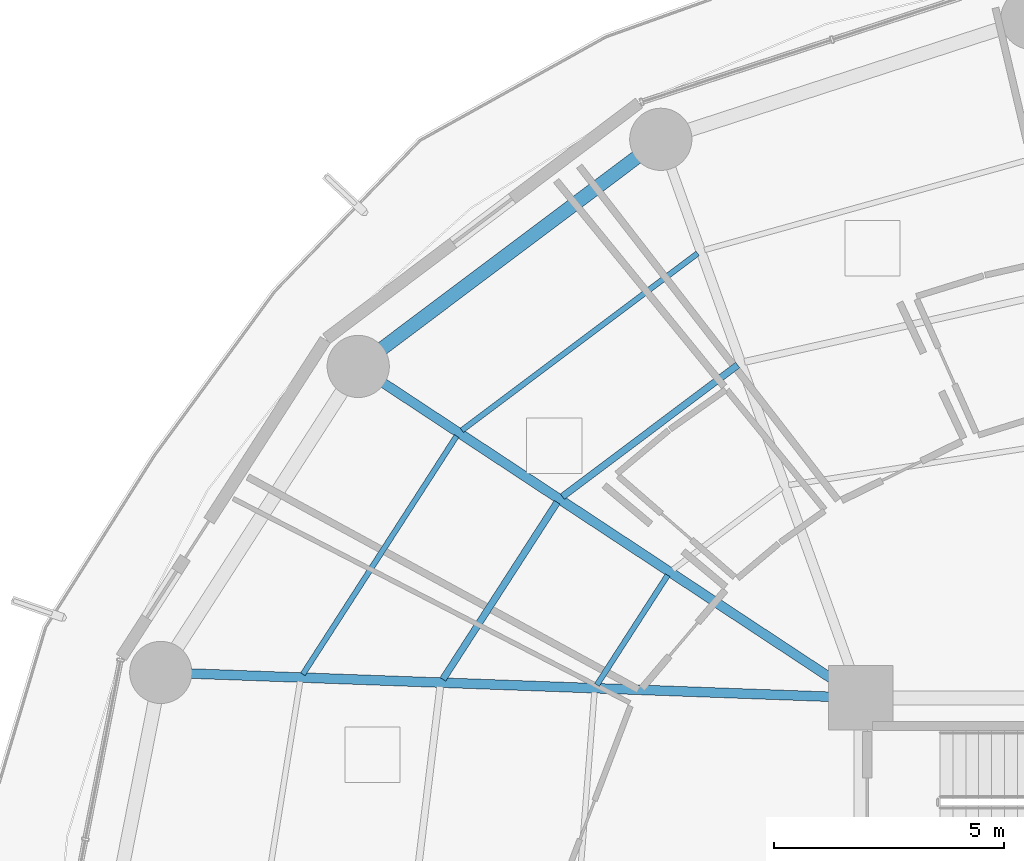
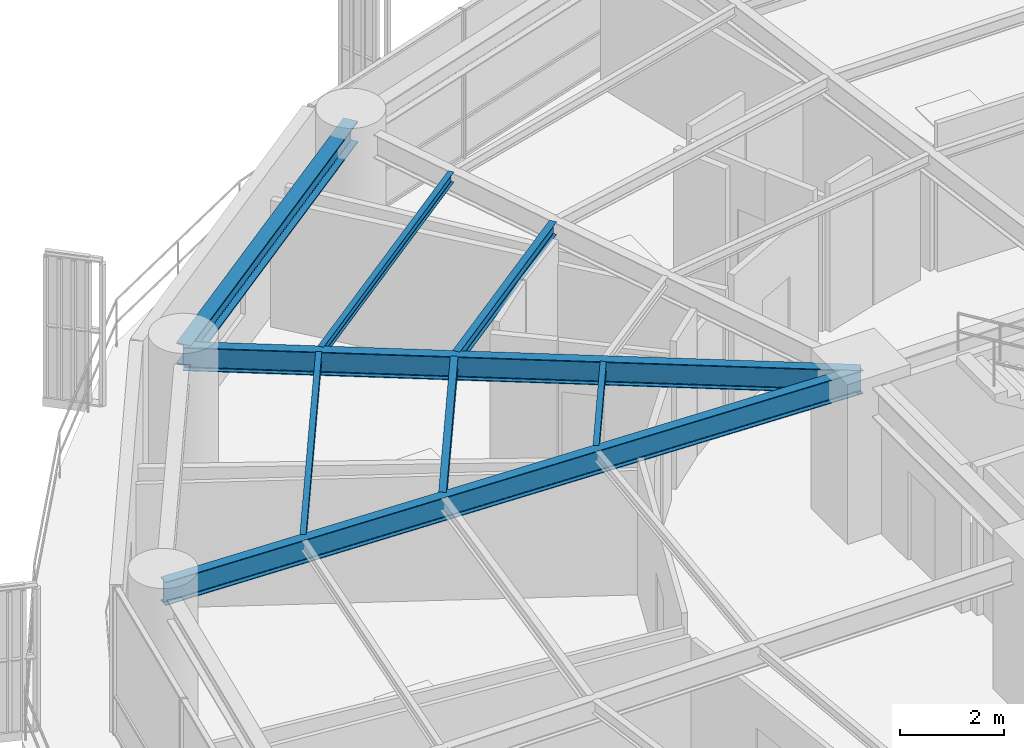
# One storey, part 18 of 36: 8 beams.
"""IFC4 building model written with IfcOpenShell, lengths in metres."""

from ifc_helpers import new_model, si_unit, direction, frame, origin, origin_2d, place, context, subcontext, project, spatial, i_section, extrude, material, material_profile, profile_set, type_object, element, save


model = new_model("IFC4")

# Units and contexts
model_context = context("Model", 3, precision=1e-05, world=origin(), true_north=direction((0.0, 1.0)))
body_context = subcontext(model_context, "Body", "Model", "MODEL_VIEW")
ifc_project = project(units=[si_unit("LENGTHUNIT", "METRE"), si_unit("AREAUNIT", "SQUARE_METRE"), si_unit("VOLUMEUNIT", "CUBIC_METRE"), si_unit("PLANEANGLEUNIT", "RADIAN"), si_unit("MASSUNIT", "GRAM", prefix="KILO")], contexts=[model_context])

# Site, building, storey
site_placement = place(None, origin())
site = spatial("IfcSite", under=ifc_project, at=site_placement, CompositionType="ELEMENT")
building_placement = place(site_placement, origin())
building = spatial("IfcBuilding", under=site, at=building_placement, Name="Kelanora Arch Commons", CompositionType="ELEMENT")
storey_placement = place(building_placement, frame((0.0, 0.0, 98.85009765625)))
storey = spatial("IfcBuildingStorey", under=building, at=storey_placement, Name="L25", CompositionType="ELEMENT", Elevation=98.85009765625)

# Beams
ifc_material = material(Name="Steel S355", Category="steel")
ifc_material_profile_1 = material_profile(ifc_material, i_section(OverallWidth=0.14990234375, OverallDepth=0.300048828125, WebThickness=0.007080078125, FlangeThickness=0.0107421875, FilletRadius=0.014892578125, at=origin_2d()), Name="IPE300")
ifc_profile_set_1 = profile_set([ifc_material_profile_1], Name="Steel S355")
beam_type_1 = type_object("IfcBeamType", Name="BM-JST-01", PredefinedType="JOIST", material=ifc_profile_set_1)
beam_1_placement = place(storey_placement, frame((63.327880859375, 72.22216796875, 3.33984375), z_axis=(-0.79971039107, -0.600385951214, 0.0), x_axis=(0.600385951214, -0.79971039107, 0.0)))
element("IfcBeam", 1, at=beam_1_placement, inside=storey, type_object=beam_type_1, Name="Secondary Chord Joist BJB-12 L25", PredefinedType="JOIST", context=body_context, shape_type="SweptSolid", body=[
    extrude(i_section(OverallWidth=0.14990234375, OverallDepth=0.300048828125, WebThickness=0.007080078125, FlangeThickness=0.0107421875, FilletRadius=0.014892578125, at=origin_2d()), origin(), (0.0, 0.0, 1.0), 4.756103515625),
])
beam_2_placement = place(storey_placement, frame((59.410400390625, 69.244384765625, 3.33984375), z_axis=(-0.542230243286, -0.840229946661, 0.0), x_axis=(0.840229946661, -0.542230243286, 0.0)))
element("IfcBeam", 2, at=beam_2_placement, inside=storey, type_object=beam_type_1, Name="Secondary Chord Joist BJB-14 L25", PredefinedType="JOIST", context=body_context, shape_type="SweptSolid", body=[
    extrude(i_section(OverallWidth=0.14990234375, OverallDepth=0.300048828125, WebThickness=0.007080078125, FlangeThickness=0.0107421875, FilletRadius=0.014892578125, at=origin_2d()), origin(), (0.0, 0.0, 1.0), 4.572265625),
])
ifc_material_profile_2 = material_profile(ifc_material, i_section(OverallWidth=0.1201171875, OverallDepth=0.239990234375, WebThickness=0.006103515625, FlangeThickness=0.009765625, FilletRadius=0.014892578125, at=origin_2d()), Name="IPE240")
ifc_profile_set_2 = profile_set([ifc_material_profile_2], Name="Steel S355")
beam_type_2 = type_object("IfcBeamType", Name="BM-JST-02", PredefinedType="JOIST", material=ifc_profile_set_2)
beam_3_placement = place(storey_placement, frame((62.4599609375, 74.646484375, 3.369873046875), z_axis=(-0.799734335646, -0.600354055861, 0.0), x_axis=(0.600354055861, -0.799734335646, 0.0)))
element("IfcBeam", 3, at=beam_3_placement, inside=storey, type_object=beam_type_2, Name="Secondary Chord Joist BJC-12 L25", PredefinedType="JOIST", context=body_context, shape_type="SweptSolid", body=[
    extrude(i_section(OverallWidth=0.1201171875, OverallDepth=0.239990234375, WebThickness=0.006103515625, FlangeThickness=0.009765625, FilletRadius=0.014892578125, at=origin_2d()), origin(), (0.0, 0.0, 1.0), 6.39794921875),
])
beam_4_placement = place(storey_placement, frame((61.8095703125, 67.661865234375, 3.369873046875), z_axis=(-0.542211255502, -0.840242199849, 0.0), x_axis=(0.840242199849, -0.542211255502, 0.0)))
element("IfcBeam", 4, at=beam_4_placement, inside=storey, type_object=beam_type_2, Name="Secondary Chord Joist BJA-14 L25", PredefinedType="JOIST", context=body_context, shape_type="SweptSolid", body=[
    extrude(i_section(OverallWidth=0.1201171875, OverallDepth=0.239990234375, WebThickness=0.006103515625, FlangeThickness=0.009765625, FilletRadius=0.014892578125, at=origin_2d()), origin(), (0.0, 0.0, 1.0), 2.83349609375),
])
beam_5_placement = place(storey_placement, frame((57.22900390625, 70.682861328125, 3.369873046875), z_axis=(-0.542212726273, -0.840241250754, 0.0), x_axis=(0.840241250754, -0.542212726273, 0.0)))
element("IfcBeam", 5, at=beam_5_placement, inside=storey, type_object=beam_type_2, Name="Secondary Chord Joist BJC-14 L25", PredefinedType="JOIST", context=body_context, shape_type="SweptSolid", body=[
    extrude(i_section(OverallWidth=0.1201171875, OverallDepth=0.239990234375, WebThickness=0.006103515625, FlangeThickness=0.009765625, FilletRadius=0.014892578125, at=origin_2d()), origin(), (0.0, 0.0, 1.0), 6.15283203125),
])
ifc_material_profile_3 = material_profile(ifc_material, i_section(OverallWidth=0.2099609375, OverallDepth=0.550048828125, WebThickness=0.010986328125, FlangeThickness=0.01708984375, FilletRadius=0.02392578125, at=origin_2d()), Name="IPE550")
ifc_profile_set_3 = profile_set([ifc_material_profile_3], Name="Steel S355")
beam_type_3 = type_object("IfcBeamType", Name="BM-RAD-Z2", PredefinedType="BEAM", material=ifc_profile_set_3)
beam_6_placement = place(storey_placement, frame((66.0, 65.0, 3.21484375), z_axis=(-0.834788577908, 0.550570640512, 0.0), x_axis=(-0.550570640512, -0.834788577908, 0.0)))
element("IfcBeam", 6, at=beam_6_placement, inside=storey, type_object=beam_type_3, Name="Radial Floor Girder BR-14 L25", PredefinedType="BEAM", context=body_context, shape_type="SweptSolid", body=[
    extrude(i_section(OverallWidth=0.2099609375, OverallDepth=0.550048828125, WebThickness=0.010986328125, FlangeThickness=0.01708984375, FilletRadius=0.02392578125, at=origin_2d()), origin(), (0.0, 0.0, 1.0), 13.064453125),
])
beam_7_placement = place(storey_placement, frame((66.0, 65.0, 3.21484375), z_axis=(-0.999341087625, 0.036295875581, 0.0), x_axis=(-0.036295875581, -0.999341087625, 0.0)))
element("IfcBeam", 7, at=beam_7_placement, inside=storey, type_object=beam_type_3, Name="Radial Floor Girder BR-16 L25", PredefinedType="BEAM", context=body_context, shape_type="SweptSolid", body=[
    extrude(i_section(OverallWidth=0.2099609375, OverallDepth=0.550048828125, WebThickness=0.010986328125, FlangeThickness=0.01708984375, FilletRadius=0.02392578125, at=origin_2d()), origin(), (0.0, 0.0, 1.0), 15.20166015625),
])
ifc_material_profile_4 = material_profile(ifc_material, i_section(OverallWidth=0.300048828125, OverallDepth=0.5, WebThickness=0.014404296875, FlangeThickness=0.028076171875, FilletRadius=0.027099609375, at=origin_2d()), Name="HEB500")
ifc_profile_set_4 = profile_set([ifc_material_profile_4], Name="Steel S355")
beam_type_4 = type_object("IfcBeamType", Name="BM-SPN-Z2", PredefinedType="SPANDREL", material=ifc_profile_set_4)
beam_8_placement = place(storey_placement, frame((61.659912109375, 77.121826171875, 3.239990234375), z_axis=(-0.799735861602, -0.600352023123, 0.0), x_axis=(0.600352023123, -0.799735861602, 0.0)))
element("IfcBeam", 8, at=beam_8_placement, inside=storey, type_object=beam_type_4, Name="Perimeter Spandrel Beam BS-12 L25", PredefinedType="SPANDREL", context=body_context, shape_type="SweptSolid", body=[
    extrude(i_section(OverallWidth=0.300048828125, OverallDepth=0.5, WebThickness=0.014404296875, FlangeThickness=0.028076171875, FilletRadius=0.027099609375, at=origin_2d()), origin(), (0.0, 0.0, 1.0), 8.210205078125),
])

save(model, "model.ifc")
